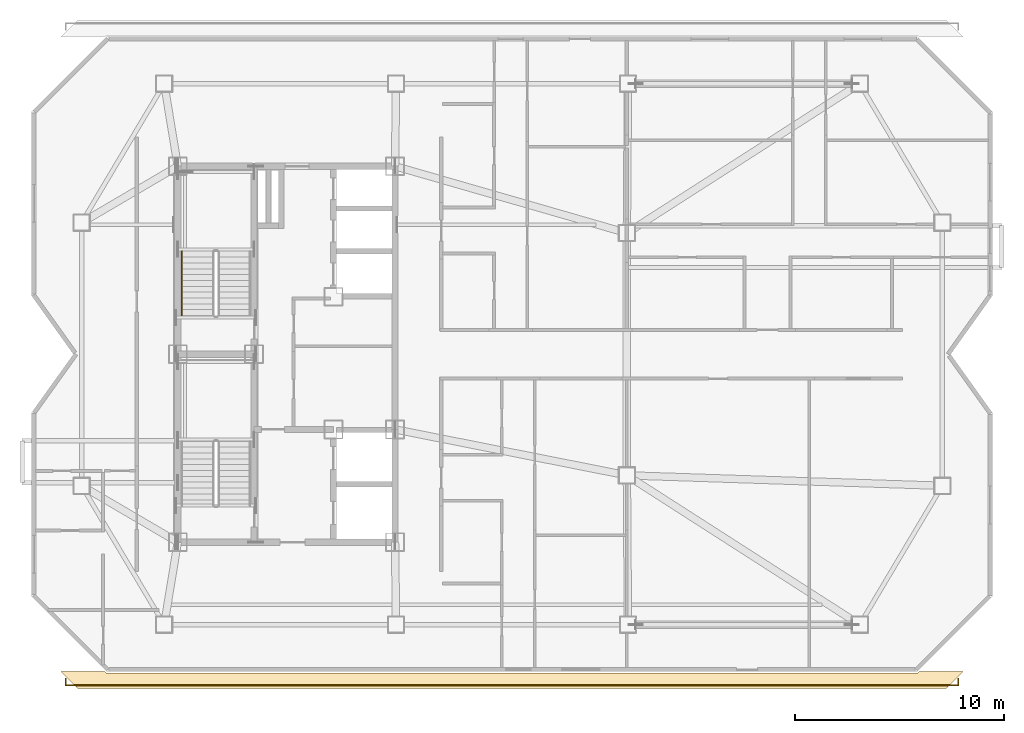
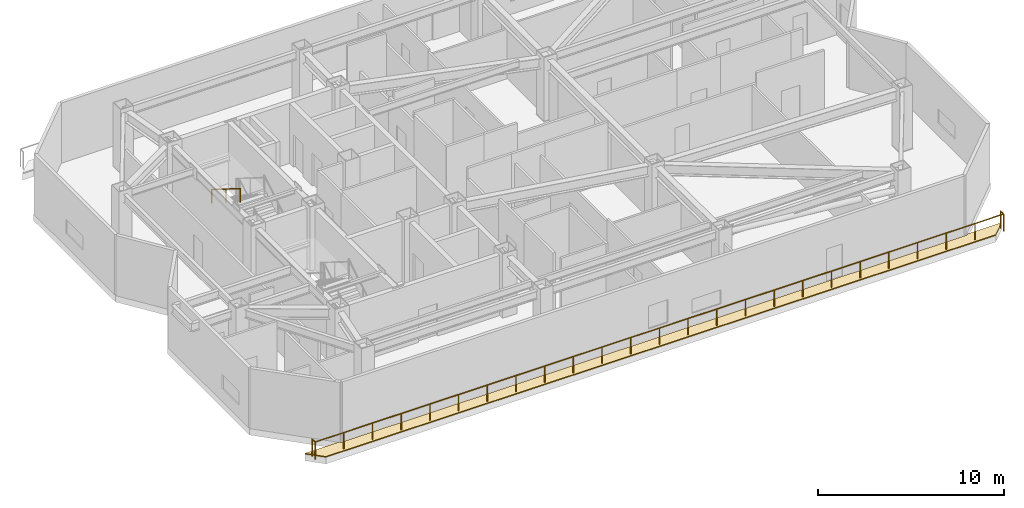
# One storey, part 9 of 11: 2 railings, 1 covering.
"""IFC4 building model written with IfcOpenShell, lengths in metres."""

from ifc_helpers import new_model, si_unit, direction, frame, origin, origin_2d, place, context, subcontext, project, spatial, polyline, circle, outline, extrude, material, layer, layer_set, type_object, element, save


model = new_model("IFC4")

# Units and contexts
model_context = context("Model", 3, precision=1e-05, world=origin(), true_north=direction((0.0, 1.0)))
body_context = subcontext(model_context, "Body", "Model", "MODEL_VIEW")
ifc_project = project(units=[si_unit("LENGTHUNIT", "METRE"), si_unit("AREAUNIT", "SQUARE_METRE"), si_unit("VOLUMEUNIT", "CUBIC_METRE"), si_unit("PLANEANGLEUNIT", "RADIAN"), si_unit("MASSUNIT", "GRAM", prefix="KILO")], contexts=[model_context])

# Site, building, storey
site_placement = place(None, origin())
site = spatial("IfcSite", under=ifc_project, at=site_placement, CompositionType="ELEMENT")
building_placement = place(site_placement, origin())
building = spatial("IfcBuilding", under=site, at=building_placement, Name="Khamvora Tower", CompositionType="ELEMENT")
storey_placement = place(building_placement, frame((0.0, 0.0, 269.449951171875)))
storey = spatial("IfcBuildingStorey", under=building, at=storey_placement, Name="L69", CompositionType="ELEMENT", Elevation=269.449951171875)

# Covering
ifc_material_1 = material(Name="Insulated Elastomeric Roof Waterproofing System", Category="membrane")
ifc_layer = layer(ifc_material_1, 0.0849609375)
ifc_layer_set = layer_set([ifc_layer], Name="Insulated Elastomeric Roof Waterproofing System")
covering_type = type_object("IfcCoveringType", Name="COV-ROOF-MEM", PredefinedType="ROOFING", material=ifc_layer_set)
covering_placement = place(storey_placement, origin())
element("IfcCovering", 1, at=covering_placement, inside=storey, type_object=covering_type, Name="L69 terrace waterproofing paving 1", PredefinedType="ROOFING", context=body_context, shape_type="SweptSolid", body=[
    extrude(outline(polyline([(65.800048828125, 12.0), (24.199951171875, 12.0), (23.3798828125, 12.820068359375), (25.4951171875, 12.820068359375), (25.55810546875, 12.758056640625), (25.56201171875, 12.75390625), (25.56689453125, 12.75), (25.572021484375, 12.7470703125), (25.576904296875, 12.7451171875), (25.5830078125, 12.742919921875), (25.587890625, 12.740966796875), (25.593994140625, 12.739990234375), (25.60009765625, 12.739990234375), (64.39990234375, 12.739990234375), (64.406005859375, 12.739990234375), (64.412109375, 12.740966796875), (64.4169921875, 12.742919921875), (64.423095703125, 12.7451171875), (64.427978515625, 12.7470703125), (64.43310546875, 12.75), (64.43798828125, 12.75390625), (64.44189453125, 12.758056640625), (64.5048828125, 12.820068359375), (66.6201171875, 12.820068359375), (65.800048828125, 12.0)])), origin(), (0.0, 0.0, 1.0), 0.06494140625),
])

# Railings
ifc_material_2 = material(Name="Brushed Stainless Steel 316", Category="steel")
railing_type_1 = type_object("IfcRailingType", Name="RAL-HDR-920", PredefinedType="HANDRAIL", material=ifc_material_2)
railing_1_placement = place(storey_placement, frame((29.199951171875, 32.929931640625, 2.275146484375)))
element("IfcRailing", 2, at=railing_1_placement, inside=storey, type_object=railing_type_1, Name="L69 ST-02 stair handrail 2", PredefinedType="HANDRAIL", context=body_context, shape_type="SweptSolid", body=[
    extrude(circle(Radius=0.02392578125, at=origin_2d()), frame((0.0, 0.0, 0.8759765625), z_axis=(0.0, -0.848009633417, 0.529980812513), x_axis=(1.0, 0.0, 0.0)), (0.0, 0.0, 1.0), 3.6318359375),
    extrude(circle(Radius=0.02099609375, at=origin_2d()), origin(), (0.0, 0.0, 1.0), 0.851806640625),
    extrude(circle(Radius=0.02099609375, at=origin_2d()), frame((0.0, -1.5400390625, 0.96240234375)), (0.0, 0.0, 1.0), 0.851806640625),
    extrude(circle(Radius=0.02099609375, at=origin_2d()), frame((0.0, -3.079833984375, 1.9248046875)), (0.0, 0.0, 1.0), 0.851806640625),
])
ifc_material_3 = material(Name="Laminated Structural Safety Glass and Stainless Steel", Category="steel")
railing_type_2 = type_object("IfcRailingType", Name="RAL-POOL-1150", PredefinedType="BALUSTRADE", material=ifc_material_3)
railing_2_placement = place(storey_placement, frame((23.6298828125, 12.469970703125, 0.0)))
element("IfcRailing", 3, at=railing_2_placement, inside=storey, type_object=railing_type_2, Name="L69 stepped roof terrace balustrade 1", PredefinedType="BALUSTRADE", context=body_context, shape_type="SweptSolid", body=[
    extrude(circle(Radius=0.02392578125, at=origin_2d()), frame((0.0, 0.0, 1.1259765625), z_axis=(0.0, -1.0, 0.0), x_axis=(1.0, 0.0, 0.0)), (0.0, 0.0, 1.0), 0.320068359375),
    extrude(circle(Radius=0.02392578125, at=origin_2d()), frame((0.0, -0.320068359375, 1.1259765625), z_axis=(1.0, 0.0, 0.0), x_axis=(0.0, 1.0, 0.0)), (0.0, 0.0, 1.0), 42.740234375),
    extrude(circle(Radius=0.02392578125, at=origin_2d()), frame((42.740234375, -0.320068359375, 1.1259765625), z_axis=(0.0, 1.0, 0.0), x_axis=(-1.0, 0.0, 0.0)), (0.0, 0.0, 1.0), 0.320068359375),
    extrude(circle(Radius=0.02099609375, at=origin_2d()), origin(), (0.0, 0.0, 1.0), 1.101806640625),
    extrude(circle(Radius=0.02099609375, at=origin_2d()), frame((0.0, -0.320068359375, 0.0)), (0.0, 0.0, 1.0), 1.101806640625),
    extrude(circle(Radius=0.02099609375, at=origin_2d()), frame((1.78076171875, -0.320068359375, 0.0)), (0.0, 0.0, 1.0), 1.101806640625),
    extrude(circle(Radius=0.02099609375, at=origin_2d()), frame((3.561767578125, -0.320068359375, 0.0)), (0.0, 0.0, 1.0), 1.101806640625),
    extrude(circle(Radius=0.02099609375, at=origin_2d()), frame((5.342529296875, -0.320068359375, 0.0)), (0.0, 0.0, 1.0), 1.101806640625),
    extrude(circle(Radius=0.02099609375, at=origin_2d()), frame((7.123291015625, -0.320068359375, 0.0)), (0.0, 0.0, 1.0), 1.101806640625),
    extrude(circle(Radius=0.02099609375, at=origin_2d()), frame((8.904296875, -0.320068359375, 0.0)), (0.0, 0.0, 1.0), 1.101806640625),
    extrude(circle(Radius=0.02099609375, at=origin_2d()), frame((10.68505859375, -0.320068359375, 0.0)), (0.0, 0.0, 1.0), 1.101806640625),
    extrude(circle(Radius=0.02099609375, at=origin_2d()), frame((12.4658203125, -0.320068359375, 0.0)), (0.0, 0.0, 1.0), 1.101806640625),
    extrude(circle(Radius=0.02099609375, at=origin_2d()), frame((14.246826171875, -0.320068359375, 0.0)), (0.0, 0.0, 1.0), 1.101806640625),
    extrude(circle(Radius=0.02099609375, at=origin_2d()), frame((16.027587890625, -0.320068359375, 0.0)), (0.0, 0.0, 1.0), 1.101806640625),
    extrude(circle(Radius=0.02099609375, at=origin_2d()), frame((17.808349609375, -0.320068359375, 0.0)), (0.0, 0.0, 1.0), 1.101806640625),
    extrude(circle(Radius=0.02099609375, at=origin_2d()), frame((19.58935546875, -0.320068359375, 0.0)), (0.0, 0.0, 1.0), 1.101806640625),
    extrude(circle(Radius=0.02099609375, at=origin_2d()), frame((21.3701171875, -0.320068359375, 0.0)), (0.0, 0.0, 1.0), 1.101806640625),
    extrude(circle(Radius=0.02099609375, at=origin_2d()), frame((23.15087890625, -0.320068359375, 0.0)), (0.0, 0.0, 1.0), 1.101806640625),
    extrude(circle(Radius=0.02099609375, at=origin_2d()), frame((24.931884765625, -0.320068359375, 0.0)), (0.0, 0.0, 1.0), 1.101806640625),
    extrude(circle(Radius=0.02099609375, at=origin_2d()), frame((26.712646484375, -0.320068359375, 0.0)), (0.0, 0.0, 1.0), 1.101806640625),
    extrude(circle(Radius=0.02099609375, at=origin_2d()), frame((28.493408203125, -0.320068359375, 0.0)), (0.0, 0.0, 1.0), 1.101806640625),
    extrude(circle(Radius=0.02099609375, at=origin_2d()), frame((30.2744140625, -0.320068359375, 0.0)), (0.0, 0.0, 1.0), 1.101806640625),
    extrude(circle(Radius=0.02099609375, at=origin_2d()), frame((32.05517578125, -0.320068359375, 0.0)), (0.0, 0.0, 1.0), 1.101806640625),
    extrude(circle(Radius=0.02099609375, at=origin_2d()), frame((33.8359375, -0.320068359375, 0.0)), (0.0, 0.0, 1.0), 1.101806640625),
    extrude(circle(Radius=0.02099609375, at=origin_2d()), frame((35.616943359375, -0.320068359375, 0.0)), (0.0, 0.0, 1.0), 1.101806640625),
    extrude(circle(Radius=0.02099609375, at=origin_2d()), frame((37.397705078125, -0.320068359375, 0.0)), (0.0, 0.0, 1.0), 1.101806640625),
    extrude(circle(Radius=0.02099609375, at=origin_2d()), frame((39.178466796875, -0.320068359375, 0.0)), (0.0, 0.0, 1.0), 1.101806640625),
    extrude(circle(Radius=0.02099609375, at=origin_2d()), frame((40.95947265625, -0.320068359375, 0.0)), (0.0, 0.0, 1.0), 1.101806640625),
    extrude(circle(Radius=0.02099609375, at=origin_2d()), frame((42.740234375, -0.320068359375, 0.0)), (0.0, 0.0, 1.0), 1.101806640625),
    extrude(circle(Radius=0.02099609375, at=origin_2d()), frame((42.740234375, 0.0, 0.0)), (0.0, 0.0, 1.0), 1.101806640625),
])

save(model, "model.ifc")
